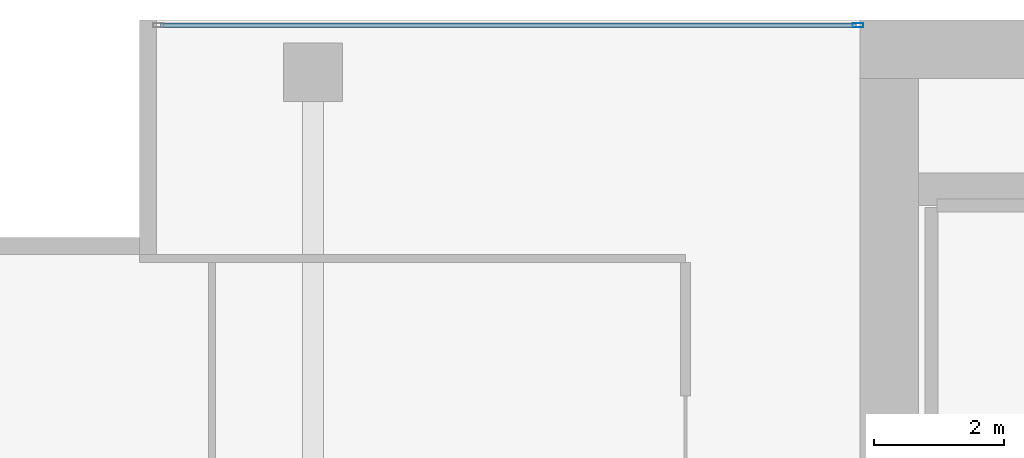
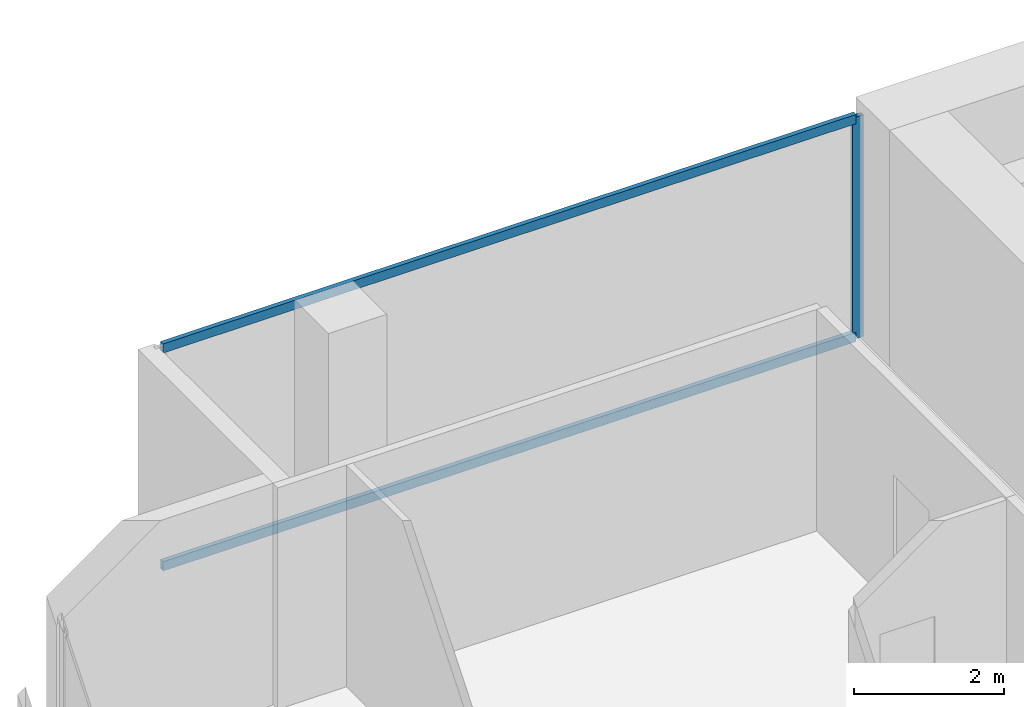
# One storey, part 26 of 40: 3 members, 1 element without a shape of its own.
"""IFC4 building model written with IfcOpenShell, lengths in metres."""

import ifcopenshell
import ifcopenshell.guid

model = None  # the IFC model being written
_history = None  # IfcOwnerHistory: only IFC2X3 demands one
_inside = {}  # id of a spatial element -> (the spatial element, [elements in it])
_under = {}  # id of a project, library or spatial element -> (it, [spatial elements below it])
_declared = {}  # id of a project -> (the project, [libraries it declares])
_typed = {}  # id of a type object -> (the type object, [elements of that type])
_made_of = {}  # id of a material, layer set ... -> (it, [elements and type objects made of it])


def new_model(schema):
    """Start an empty IFC model of exactly this schema.

    Asked for "IFC4X3", IfcOpenShell would pick the latest addendum, in which some entities
    have other attributes; the version numbers below select the first issue.
    IFC2X3 requires an IfcOwnerHistory on every rooted entity: one is made here for all.
    """
    global model, _history
    if schema == "IFC4X3":
        model = ifcopenshell.file(schema_version=(4, 3, 0, 0))
    else:
        model = ifcopenshell.file(schema=schema)
    _inside.clear()
    _under.clear()
    _declared.clear()
    _typed.clear()
    _made_of.clear()
    _history = None
    if model.schema == "IFC2X3":
        org = make("IfcOrganization", Name="unknown")
        user = make(
            "IfcPersonAndOrganization",
            ThePerson=make("IfcPerson", FamilyName="unknown"),
            TheOrganization=org,
        )
        app = make(
            "IfcApplication",
            ApplicationDeveloper=org,
            Version="unknown",
            ApplicationFullName="unknown",
            ApplicationIdentifier="unknown",
        )
        _history = make(
            "IfcOwnerHistory",
            OwningUser=user,
            OwningApplication=app,
            ChangeAction="ADDED",
            CreationDate=0,
        )
    return model


def make(cls, **values):
    """One entity of the class cls with the attributes given. An attribute that is None is left unset."""
    return model.create_entity(
        cls, **{name: value for name, value in values.items() if value is not None}
    )


def rooted(cls, **values):
    """An entity with a GlobalId (a new one), such as an element, a storey or a relation."""
    return make(cls, GlobalId=ifcopenshell.guid.new(), OwnerHistory=_history, **values)


def si_unit(unit_type, name, prefix=None):
    """IfcSIUnit, for example si_unit("LENGTHUNIT", "METRE", prefix="MILLI")."""
    return make("IfcSIUnit", UnitType=unit_type, Prefix=prefix, Name=name)


def assignment(units):
    """IfcUnitAssignment: the units of a project."""
    return None if units is None else make("IfcUnitAssignment", Units=units)


def point(xyz):
    """IfcCartesianPoint."""
    return None if xyz is None else make("IfcCartesianPoint", Coordinates=xyz)


def direction(xyz):
    """IfcDirection."""
    return None if xyz is None else make("IfcDirection", DirectionRatios=xyz)


def frame(location, z_axis=None, x_axis=None):
    """IfcAxis2Placement3D, a coordinate frame: its origin and axes. An axis left out is left unset."""
    return make(
        "IfcAxis2Placement3D",
        Location=point(location),
        Axis=direction(z_axis),
        RefDirection=direction(x_axis),
    )


def frame_2d(location, x_axis=None):
    """IfcAxis2Placement2D, a coordinate frame in the plane: its origin and x axis."""
    return make(
        "IfcAxis2Placement2D", Location=point(location), RefDirection=direction(x_axis)
    )


def origin():
    """The frame at (0, 0, 0) with its axes left unset."""
    return frame((0.0, 0.0, 0.0))


def origin_2d():
    """The frame at (0, 0) in the plane with its x axis left unset."""
    return frame_2d((0.0, 0.0))


def place(relative_to, where):
    """IfcLocalPlacement: puts the frame where relative to a parent placement (None: the world)."""
    return make(
        "IfcLocalPlacement", PlacementRelTo=relative_to, RelativePlacement=where
    )


def context(
    kind, dimensions, precision=None, world=None, true_north=None, identifier=None
):
    """IfcGeometricRepresentationContext, for example the 3D "Model" context."""
    return make(
        "IfcGeometricRepresentationContext",
        ContextIdentifier=identifier,
        ContextType=kind,
        CoordinateSpaceDimension=dimensions,
        Precision=precision,
        WorldCoordinateSystem=world,
        TrueNorth=true_north,
    )


def subcontext(parent, identifier, kind, view, scale=None):
    """IfcGeometricRepresentationSubContext, for example "Body" below "Model"."""
    return make(
        "IfcGeometricRepresentationSubContext",
        ContextIdentifier=identifier,
        ContextType=kind,
        ParentContext=parent,
        TargetScale=scale,
        TargetView=view,
    )


def project(units=None, contexts=None):
    """IfcProject with its units and contexts."""
    return rooted(
        "IfcProject",
        Name="project",
        RepresentationContexts=contexts,
        UnitsInContext=assignment(units),
    )


def spatial(cls, under=None, at=None, **own):
    """A site, building, storey or space (cls), placed at a placement, below another one or the project."""
    s = rooted(cls, ObjectPlacement=at, **own)
    if under is not None:
        _under.setdefault(under.id(), (under, []))[1].append(s)
    return s


def profile(cls, at=None, kind="AREA", **sizes):
    """A parametric profile (cls). Its sizes go by their IFC names, for example OverallWidth=200.0."""
    return make(cls, ProfileType=kind, Position=at, **sizes)


def hollow_rectangle(**sizes):
    """IfcRectangleHollowProfileDef."""
    return profile("IfcRectangleHollowProfileDef", **sizes)


def extrude(swept, where, along, depth):
    """IfcExtrudedAreaSolid: the profile swept, set in the frame where, extruded along a direction by depth."""
    return make(
        "IfcExtrudedAreaSolid",
        SweptArea=swept,
        Position=where,
        ExtrudedDirection=direction(along),
        Depth=depth,
    )


def shape(context_of_items, identifier, shape_type, items):
    """IfcShapeRepresentation: the items that make up one representation, for example the "Body"."""
    return make(
        "IfcShapeRepresentation",
        ContextOfItems=context_of_items,
        RepresentationIdentifier=identifier,
        RepresentationType=shape_type,
        Items=items,
    )


def material(Name=None, Category=None):
    """IfcMaterial."""
    return make("IfcMaterial", Name=Name, Category=Category)


def layer(
    of_material, thickness, ventilated=None, Name=None, Category=None, Priority=None
):
    """IfcMaterialLayer: one layer of a wall or slab, of a material (None: an air gap)."""
    return make(
        "IfcMaterialLayer",
        Material=of_material,
        LayerThickness=thickness,
        IsVentilated=ventilated,
        Name=Name,
        Category=Category,
        Priority=Priority,
    )


def layer_set(layers, Name=None):
    """IfcMaterialLayerSet."""
    return make("IfcMaterialLayerSet", MaterialLayers=layers, LayerSetName=Name)


def material_profile(
    of_material, cross_section, Name=None, Category=None, Priority=None
):
    """IfcMaterialProfile: a cross section and its material."""
    return make(
        "IfcMaterialProfile",
        Name=Name,
        Material=of_material,
        Profile=cross_section,
        Priority=Priority,
        Category=Category,
    )


def profile_set(profiles, Name=None, composite=None):
    """IfcMaterialProfileSet."""
    return make(
        "IfcMaterialProfileSet",
        Name=Name,
        MaterialProfiles=profiles,
        CompositeProfile=composite,
    )


def made_of(thing, what):
    """Note that an element or type object is made of a material, layer set ...; save() writes the relation."""
    if what is not None:
        _made_of.setdefault(what.id(), (what, []))[1].append(thing)
    return thing


def type_object(cls, material=None, **own):
    """A type object (cls), such as IfcWallType, which elements share."""
    return made_of(rooted(cls, **own), material)


def element(
    cls,
    number,
    at=None,
    inside=None,
    cuts=None,
    type_object=None,
    material=None,
    context=None,
    identifier="Body",
    shape_type=None,
    held_by="IfcProductDefinitionShape",
    body=None,
    shapes=None,
    **own,
):
    """One element of the class cls, such as IfcWall. Its Tag is "e" and its number.

    at: its placement. inside: the storey or other place that contains it. cuts: it is an
    opening in that element (IfcRelVoidsElement). A single representation is given by context,
    identifier, shape_type and body (its items); several are given by shapes. held_by: the class
    of the entity that holds the representations. save() writes the other relations.
    """
    e = rooted(cls, Tag="e%d" % number, ObjectPlacement=at, **own)
    if body is not None:
        shapes = [shape(context, identifier, shape_type, body)]
    if shapes is not None:
        e.Representation = make(held_by, Representations=shapes)
    if inside is not None:
        _inside.setdefault(inside.id(), (inside, []))[1].append(e)
    if cuts is not None:
        rooted(
            "IfcRelVoidsElement", RelatingBuildingElement=cuts, RelatedOpeningElement=e
        )
    if type_object is not None:
        _typed.setdefault(type_object.id(), (type_object, []))[1].append(e)
    return made_of(e, material)


def aggregate(whole, parts):
    """IfcRelAggregates: a whole, such as a stair, and the parts it consists of."""
    return rooted("IfcRelAggregates", RelatingObject=whole, RelatedObjects=parts)


def save(model, path):
    """Write the relations noted so far, then the file.

    IfcRelAggregates (storeys below a building ...), IfcRelContainedInSpatialStructure (elements
    in a storey), IfcRelDefinesByType, IfcRelAssociatesMaterial and IfcRelDeclares: one each for
    every whole, place, type object, material and project.
    """
    for whole, parts in _under.values():
        aggregate(whole, parts)
    for where, things in _inside.values():
        rooted(
            "IfcRelContainedInSpatialStructure",
            RelatedElements=things,
            RelatingStructure=where,
        )
    for kind, things in _typed.values():
        rooted("IfcRelDefinesByType", RelatedObjects=things, RelatingType=kind)
    for what, things in _made_of.values():
        rooted("IfcRelAssociatesMaterial", RelatedObjects=things, RelatingMaterial=what)
    for by, libraries in _declared.values():
        rooted("IfcRelDeclares", RelatingContext=by, RelatedDefinitions=libraries)
    model.write(path)


model = new_model("IFC4")

# Units and contexts
model_context = context("Model", 3, precision=1e-05, world=origin(), true_north=direction((0.0, 1.0)))
body_context = subcontext(model_context, "Body", "Model", "MODEL_VIEW")
ifc_project = project(units=[si_unit("LENGTHUNIT", "METRE"), si_unit("AREAUNIT", "SQUARE_METRE"), si_unit("VOLUMEUNIT", "CUBIC_METRE"), si_unit("PLANEANGLEUNIT", "RADIAN"), si_unit("MASSUNIT", "GRAM", prefix="KILO")], contexts=[model_context])

# Site, building, storey
site_placement = place(None, origin())
site = spatial("IfcSite", under=ifc_project, at=site_placement, CompositionType="ELEMENT")
building_placement = place(site_placement, origin())
building = spatial("IfcBuilding", under=site, at=building_placement, Name="Maruvema Waterfront Hotel and Observation Tower", CompositionType="ELEMENT")
storey_placement = place(building_placement, frame((0.0, 0.0, 50.050048828125)))
storey = spatial("IfcBuildingStorey", under=building, at=storey_placement, Name="L11", CompositionType="ELEMENT", Elevation=50.050048828125)

# Curtain wall, members
ifc_material_1 = material(Name="Anodised bronze aluminium and solar-control low-E IGU", Category="aluminium")
ifc_layer = layer(ifc_material_1, 0.159912109375, Name="Zone 1 Bronze Inner Thermal Curtain Wall System CW-02")
ifc_layer_set = layer_set([ifc_layer], Name="Anodised bronze aluminium and solar-control low-E IGU")
curtain_wall_type = type_object("IfcCurtainWallType", Name="Zone 1 Bronze Inner Thermal Curtain Wall System CW-02", PredefinedType="USERDEFINED", material=ifc_layer_set)
curtain_wall_placement = place(storey_placement, origin())
curtain_wall = element("IfcCurtainWall", 1, at=curtain_wall_placement, inside=storey, type_object=curtain_wall_type, Name="L11 Curtain Wall CW-L11-NW", ObjectType="UNITISED CURTAIN WALL", PredefinedType="USERDEFINED")
ifc_material_2 = material(Name="Anodised architectural bronze aluminium", Category="aluminium")
ifc_material_profile_1 = material_profile(ifc_material_2, hollow_rectangle(XDim=0.070068359375, YDim=0.14990234375, WallThickness=0.00390625, at=origin_2d()), Name="ALU-T70x150")
ifc_profile_set_1 = profile_set([ifc_material_profile_1], Name="Anodised architectural bronze aluminium")
member_type_1 = type_object("IfcMemberType", Name="Curtain Wall Horizontal Transom ALU-T70x150", PredefinedType="USERDEFINED", material=ifc_profile_set_1)
member_1_placement = place(storey_placement, frame((25.139892578125, 53.919921875, 0.030029296875), z_axis=(-1.0, 0.0, 0.0), x_axis=(0.0, -1.0, 0.0)))
member_1 = element("IfcMember", 2, at=member_1_placement, type_object=member_type_1, Name="CW-02 transom 1.1", ObjectType="TRANSOM", PredefinedType="USERDEFINED", context=body_context, shape_type="SweptSolid", body=[
    extrude(hollow_rectangle(XDim=0.070068359375, YDim=0.14990234375, WallThickness=0.00390625, at=origin_2d()), origin(), (0.0, 0.0, 1.0), 10.679931640625),
])
member_2_placement = place(storey_placement, frame((25.139892578125, 53.919921875, 3.579833984375), z_axis=(-1.0, 0.0, 0.0), x_axis=(0.0, -1.0, 0.0)))
member_2 = element("IfcMember", 3, at=member_2_placement, type_object=member_type_1, Name="CW-02 transom 1.2", ObjectType="TRANSOM", PredefinedType="USERDEFINED", context=body_context, shape_type="SweptSolid", body=[
    extrude(hollow_rectangle(XDim=0.070068359375, YDim=0.14990234375, WallThickness=0.00390625, at=origin_2d()), origin(), (0.0, 0.0, 1.0), 10.679931640625),
])
ifc_material_3 = material(Name="Anodised architectural bronze aluminium", Category="aluminium")
ifc_material_profile_2 = material_profile(ifc_material_3, hollow_rectangle(XDim=0.06494140625, YDim=0.1650390625, WallThickness=0.00390625, at=origin_2d()), Name="ALU-M65x165")
ifc_profile_set_2 = profile_set([ifc_material_profile_2], Name="Anodised architectural bronze aluminium")
member_type_2 = type_object("IfcMemberType", Name="Curtain Wall Primary Mullion ALU-M65x165", PredefinedType="MULLION", material=ifc_profile_set_2)
member_3_placement = place(storey_placement, frame((25.169921875, 53.919921875, 0.0), z_axis=(0.0, 0.0, 1.0), x_axis=(0.0, -1.0, 0.0)))
member_3 = element("IfcMember", 4, at=member_3_placement, type_object=member_type_2, Name="CW-02 mullion 1", PredefinedType="MULLION", context=body_context, shape_type="SweptSolid", body=[
    extrude(hollow_rectangle(XDim=0.06494140625, YDim=0.1650390625, WallThickness=0.00390625, at=origin_2d()), origin(), (0.0, 0.0, 1.0), 3.60986328125),
])
aggregate(curtain_wall, [member_3, member_1, member_2])

save(model, "model.ifc")
